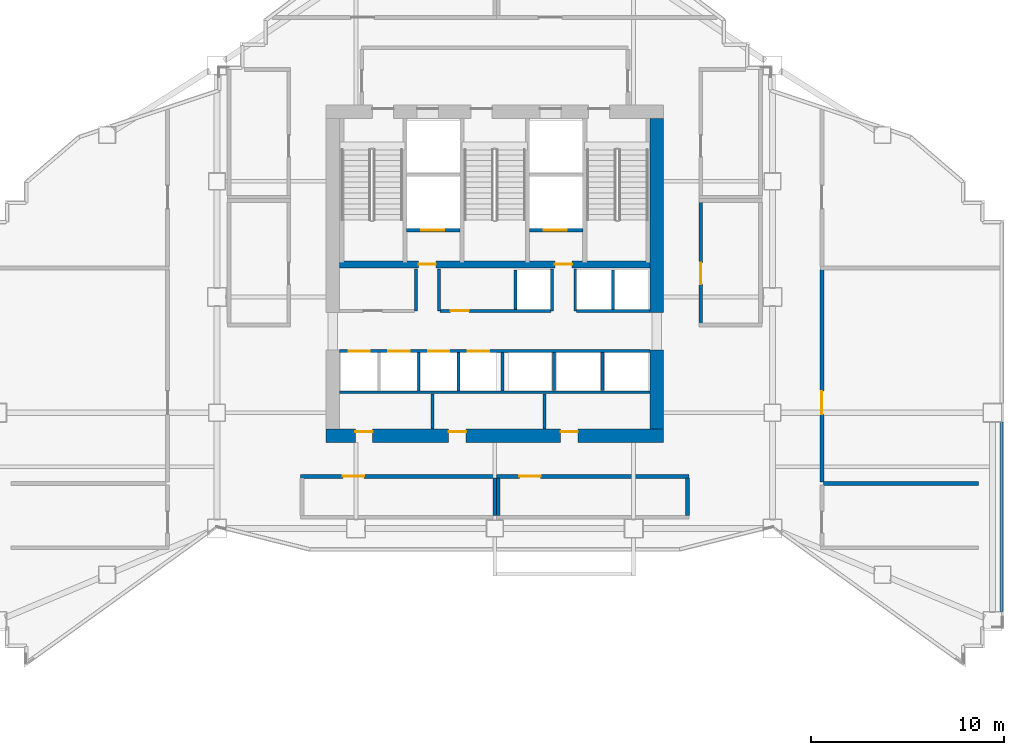
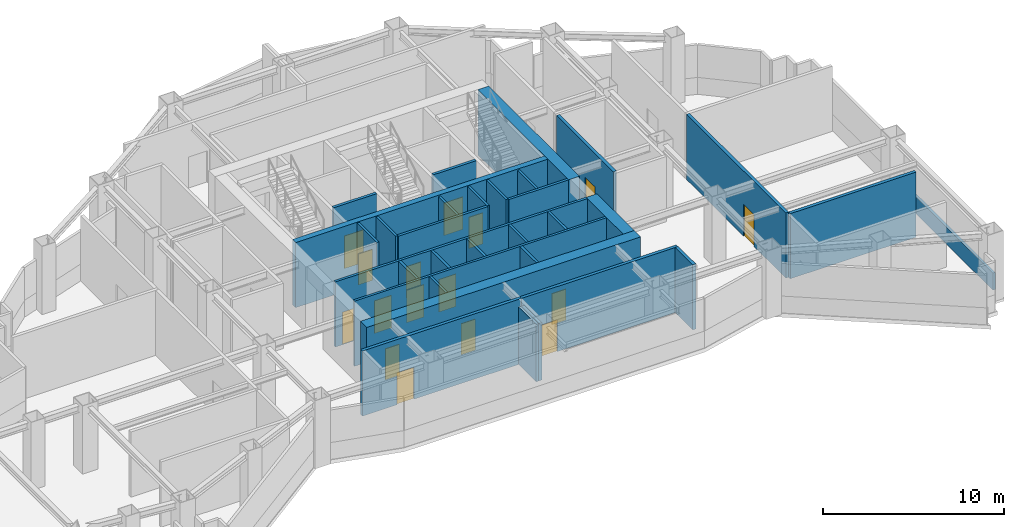
# One storey, part 3 of 12: 32 walls, 16 doors, 16 openings.
"""IFC4 building model written with IfcOpenShell, lengths in metres."""

from ifc_helpers import new_model, si_unit, direction, frame, frame_2d, origin, place, context, subcontext, project, spatial, rectangle, extrude, material, layer, layer_set, type_object, element, fill, save


model = new_model("IFC4")

# Units and contexts
model_context = context("Model", 3, precision=1e-05, world=origin(), true_north=direction((0.0, 1.0)))
body_context = subcontext(model_context, "Body", "Model", "MODEL_VIEW")
ifc_project = project(units=[si_unit("LENGTHUNIT", "METRE"), si_unit("AREAUNIT", "SQUARE_METRE"), si_unit("VOLUMEUNIT", "CUBIC_METRE"), si_unit("PLANEANGLEUNIT", "RADIAN"), si_unit("MASSUNIT", "GRAM", prefix="KILO")], contexts=[model_context])

# Site, building, storey
site_placement = place(None, origin())
site = spatial("IfcSite", under=ifc_project, at=site_placement, CompositionType="ELEMENT")
building_placement = place(site_placement, origin())
building = spatial("IfcBuilding", under=site, at=building_placement, Name="Haolan Belvedere Tower", CompositionType="ELEMENT")
storey_placement = place(building_placement, frame((0.0, 0.0, 136.39990234375)))
storey = spatial("IfcBuildingStorey", under=building, at=storey_placement, Name="L34", CompositionType="ELEMENT", Elevation=136.39990234375)

# Wall, openings, doors
ifc_material_1 = material(Name="Concrete C60/75", Category="concrete")
ifc_layer_1 = layer(ifc_material_1, 0.699951171875, Name="Concrete C60/75")
ifc_layer_set_1 = layer_set([ifc_layer_1], Name="Concrete C60/75")
wall_type_1 = type_object("IfcWallType", Name="WL-CORE-700", PredefinedType="SHEAR", material=ifc_layer_set_1)
wall_1_placement = place(storey_placement, frame((29.64990234375, 26.39990234375, 0.0), z_axis=(0.0, 0.0, 1.0), x_axis=(1.0, 0.0, 0.0)))
wall_1 = element("IfcWall", 1, at=wall_1_placement, inside=storey, type_object=wall_type_1, Name="L34 central core south shear wall", PredefinedType="SHEAR", context=body_context, shape_type="SweptSolid", body=[
    extrude(rectangle(XDim=17.5, YDim=0.699951171875, at=frame_2d((8.75, 0.0))), origin(), (0.0, 0.0, 1.0), 4.400146484375),
])
opening_1_placement = place(wall_1_placement, frame((2.419921875, 0.0, 0.0), z_axis=(0.0, 0.0, 1.0), x_axis=(-1.0, 0.0, 0.0)))
opening_1 = element("IfcOpeningElement", 2, at=opening_1_placement, cuts=wall_1, Name="Opening FD-05", PredefinedType="OPENING", context=body_context, shape_type="SweptSolid", body=[
    extrude(rectangle(XDim=0.89990234375, YDim=2.10009765625, at=frame_2d((0.449951171875, 1.050048828125))), frame((0.0, 0.35986328125, 0.0), z_axis=(0.0, -1.0, 0.0), x_axis=(1.0, 0.0, 0.0)), (0.0, 0.0, 1.0), 0.719970703125),
])
opening_2_placement = place(wall_1_placement, frame((7.260009765625, 0.0, 0.0), z_axis=(0.0, 0.0, 1.0), x_axis=(-1.0, 0.0, 0.0)))
opening_2 = element("IfcOpeningElement", 3, at=opening_2_placement, cuts=wall_1, Name="Opening FD-05", PredefinedType="OPENING", context=body_context, shape_type="SweptSolid", body=[
    extrude(rectangle(XDim=0.89990234375, YDim=2.10009765625, at=frame_2d((0.449951171875, 1.050048828125))), frame((0.0, 0.35986328125, 0.0), z_axis=(0.0, -1.0, 0.0), x_axis=(1.0, 0.0, 0.0)), (0.0, 0.0, 1.0), 0.719970703125),
])
opening_3_placement = place(wall_1_placement, frame((13.059814453125, 0.0, 0.0), z_axis=(0.0, 0.0, 1.0), x_axis=(-1.0, 0.0, 0.0)))
opening_3 = element("IfcOpeningElement", 4, at=opening_3_placement, cuts=wall_1, Name="Opening FD-05", PredefinedType="OPENING", context=body_context, shape_type="SweptSolid", body=[
    extrude(rectangle(XDim=0.89990234375, YDim=2.10009765625, at=frame_2d((0.449951171875, 1.050048828125))), frame((0.0, 0.35986328125, 0.0), z_axis=(0.0, -1.0, 0.0), x_axis=(1.0, 0.0, 0.0)), (0.0, 0.0, 1.0), 0.719970703125),
])
ifc_material_2 = material(Name="Galvanised fire-rated steel", Category="steel")
door_type_1 = type_object("IfcDoorType", Name="DR-FD60-900", OperationType="NOTDEFINED", PredefinedType="DOOR", material=ifc_material_2)
door_1_placement = place(opening_1_placement, origin())
door_1 = element("IfcDoor", 5, at=door_1_placement, inside=storey, type_object=door_type_1, Name="L34 door CD-L34-SCV-1", OperationType="SINGLE_SWING_LEFT", OverallHeight=2.10009765625, OverallWidth=0.89990234375, PredefinedType="DOOR", context=body_context, shape_type="SweptSolid", body=[
    extrude(rectangle(XDim=0.89990234375, YDim=2.10009765625, at=frame_2d((0.449951171875, 1.050048828125))), frame((0.0, -0.19482421875, 0.0), z_axis=(0.0, -1.0, 0.0), x_axis=(1.0, 0.0, 0.0)), (0.0, 0.0, 1.0), 0.050048828125),
])
fill(opening_1, door_1)
door_2_placement = place(opening_2_placement, origin())
door_2 = element("IfcDoor", 6, at=door_2_placement, inside=storey, type_object=door_type_1, Name="L34 door CD-L34-SCV-2", OperationType="SINGLE_SWING_RIGHT", OverallHeight=2.10009765625, OverallWidth=0.89990234375, PredefinedType="DOOR", context=body_context, shape_type="SweptSolid", body=[
    extrude(rectangle(XDim=0.89990234375, YDim=2.10009765625, at=frame_2d((0.449951171875, 1.050048828125))), frame((0.0, -0.19482421875, 0.0), z_axis=(0.0, -1.0, 0.0), x_axis=(1.0, 0.0, 0.0)), (0.0, 0.0, 1.0), 0.050048828125),
])
fill(opening_2, door_2)
door_3_placement = place(opening_3_placement, origin())
door_3 = element("IfcDoor", 7, at=door_3_placement, inside=storey, type_object=door_type_1, Name="L34 door CD-L34-SCV-3", OperationType="SINGLE_SWING_LEFT", OverallHeight=2.10009765625, OverallWidth=0.89990234375, PredefinedType="DOOR", context=body_context, shape_type="SweptSolid", body=[
    extrude(rectangle(XDim=0.89990234375, YDim=2.10009765625, at=frame_2d((0.449951171875, 1.050048828125))), frame((0.0, -0.19482421875, 0.0), z_axis=(0.0, -1.0, 0.0), x_axis=(1.0, 0.0, 0.0)), (0.0, 0.0, 1.0), 0.050048828125),
])
fill(opening_3, door_3)

# Walls
wall_2_placement = place(storey_placement, frame((46.800048828125, 26.75, 0.0), z_axis=(0.0, 0.0, 1.0), x_axis=(0.0, 1.0, 0.0)))
element("IfcWall", 8, at=wall_2_placement, inside=storey, type_object=wall_type_1, Name="L34 central core shear wall ES", PredefinedType="SHEAR", context=body_context, shape_type="SweptSolid", body=[
    extrude(rectangle(XDim=4.10009765625, YDim=0.699951171875, at=frame_2d((2.050048828125, 0.0))), origin(), (0.0, 0.0, 1.0), 4.400146484375),
])
wall_3_placement = place(storey_placement, frame((46.800048828125, 32.800048828125, 0.0), z_axis=(0.0, 0.0, 1.0), x_axis=(0.0, 1.0, 0.0)))
element("IfcWall", 9, at=wall_3_placement, inside=storey, type_object=wall_type_1, Name="L34 central core shear wall EN", PredefinedType="SHEAR", context=body_context, shape_type="SweptSolid", body=[
    extrude(rectangle(XDim=10.050048828125, YDim=0.699951171875, at=frame_2d((5.02490234375, 0.0))), origin(), (0.0, 0.0, 1.0), 4.400146484375),
])

# Wall, opening, door
ifc_material_3 = material(Name="Concrete C40/50", Category="concrete")
ifc_layer_2 = layer(ifc_material_3, 0.199951171875, Name="Concrete C40/50")
ifc_layer_set_2 = layer_set([ifc_layer_2], Name="Concrete C40/50")
wall_type_2 = type_object("IfcWallType", Name="WL-FIRE-200", PredefinedType="SOLIDWALL", material=ifc_layer_set_2)
wall_4_placement = place(storey_placement, frame((55.360107421875, 24.02001953125, 0.0), z_axis=(0.0, 0.0, 1.0), x_axis=(0.0, 1.0, 0.0)))
wall_4 = element("IfcWall", 10, at=wall_4_placement, inside=storey, type_object=wall_type_2, Name="L34 interior partition IW-L34-REF-E1-W", PredefinedType="SOLIDWALL", context=body_context, shape_type="SweptSolid", body=[
    extrude(rectangle(XDim=10.994873046875, YDim=0.199951171875, at=frame_2d((5.49755859375, 0.0))), origin(), (0.0, 0.0, 1.0), 4.400146484375),
])
opening_4_placement = place(wall_4_placement, frame((3.5, 0.0, 0.0)))
opening_4 = element("IfcOpeningElement", 11, at=opening_4_placement, cuts=wall_4, Name="Opening FD-02", PredefinedType="OPENING", context=body_context, shape_type="SweptSolid", body=[
    extrude(rectangle(XDim=1.199951171875, YDim=2.14990234375, at=frame_2d((0.60009765625, 1.074951171875))), frame((0.0, 0.10986328125, 0.0), z_axis=(0.0, -1.0, 0.0), x_axis=(1.0, 0.0, 0.0)), (0.0, 0.0, 1.0), 0.219970703125),
])
door_type_2 = type_object("IfcDoorType", Name="DR-FD90-1200", OperationType="NOTDEFINED", PredefinedType="DOOR", material=ifc_material_2)
door_4_placement = place(opening_4_placement, origin())
door_4 = element("IfcDoor", 12, at=door_4_placement, inside=storey, type_object=door_type_2, Name="L34 door ID-L34-REF-E1", OperationType="SINGLE_SWING_RIGHT", OverallHeight=2.14990234375, OverallWidth=1.199951171875, PredefinedType="DOOR", context=body_context, shape_type="SweptSolid", body=[
    extrude(rectangle(XDim=1.199951171875, YDim=2.14990234375, at=frame_2d((0.60009765625, 1.074951171875))), frame((0.0, 0.02490234375, 0.0), z_axis=(0.0, -1.0, 0.0), x_axis=(1.0, 0.0, 0.0)), (0.0, 0.0, 1.0), 0.050048828125),
])
fill(opening_4, door_4)

wall_5_placement = place(storey_placement, frame((49.080078125, 32.235107421875, 0.0), z_axis=(0.0, 0.0, 1.0), x_axis=(0.0, 1.0, 0.0)))
wall_5 = element("IfcWall", 13, at=wall_5_placement, inside=storey, type_object=wall_type_2, Name="L34 interior partition IW-L34-REF-EI1-W", PredefinedType="SOLIDWALL", context=body_context, shape_type="SweptSolid", body=[
    extrude(rectangle(XDim=6.27978515625, YDim=0.199951171875, at=frame_2d((3.139892578125, 0.0))), origin(), (0.0, 0.0, 1.0), 4.400146484375),
])
opening_5_placement = place(wall_5_placement, frame((2.034912109375, 0.0, 0.0)))
opening_5 = element("IfcOpeningElement", 14, at=opening_5_placement, cuts=wall_5, Name="Opening FD-03", PredefinedType="OPENING", context=body_context, shape_type="SweptSolid", body=[
    extrude(rectangle(XDim=1.10009765625, YDim=2.14990234375, at=frame_2d((0.550048828125, 1.074951171875))), frame((0.0, 0.10986328125, 0.0), z_axis=(0.0, -1.0, 0.0), x_axis=(1.0, 0.0, 0.0)), (0.0, 0.0, 1.0), 0.219970703125),
])
door_type_3 = type_object("IfcDoorType", Name="DR-FD90-1100", OperationType="NOTDEFINED", PredefinedType="DOOR", material=ifc_material_2)
door_5_placement = place(opening_5_placement, origin())
door_5 = element("IfcDoor", 15, at=door_5_placement, inside=storey, type_object=door_type_3, Name="L34 door ID-L34-REF-EI1", OperationType="SINGLE_SWING_RIGHT", OverallHeight=2.14990234375, OverallWidth=1.10009765625, PredefinedType="DOOR", context=body_context, shape_type="SweptSolid", body=[
    extrude(rectangle(XDim=1.10009765625, YDim=2.14990234375, at=frame_2d((0.550048828125, 1.074951171875))), frame((0.0, 0.02490234375, 0.0), z_axis=(0.0, -1.0, 0.0), x_axis=(1.0, 0.0, 0.0)), (0.0, 0.0, 1.0), 0.050048828125),
])
fill(opening_5, door_5)

wall_6_placement = place(storey_placement, frame((28.320068359375, 24.300048828125, 0.0), z_axis=(0.0, 0.0, 1.0), x_axis=(1.0, 0.0, 0.0)))
wall_6 = element("IfcWall", 16, at=wall_6_placement, inside=storey, type_object=wall_type_2, Name="L34 interior partition IW-L34-PLT-AHU-N", PredefinedType="SOLIDWALL", context=body_context, shape_type="SweptSolid", body=[
    extrude(rectangle(XDim=10.159912109375, YDim=0.199951171875, at=frame_2d((5.080078125, 0.0))), origin(), (0.0, 0.0, 1.0), 4.400146484375),
])
opening_6_placement = place(wall_6_placement, frame((3.300048828125, 0.0, 0.0), z_axis=(0.0, 0.0, 1.0), x_axis=(-1.0, 0.0, 0.0)))
opening_6 = element("IfcOpeningElement", 17, at=opening_6_placement, cuts=wall_6, Name="Opening FD-03", PredefinedType="OPENING", context=body_context, shape_type="SweptSolid", body=[
    extrude(rectangle(XDim=1.10009765625, YDim=2.14990234375, at=frame_2d((0.550048828125, 1.074951171875))), frame((0.0, 0.10986328125, 0.0), z_axis=(0.0, -1.0, 0.0), x_axis=(1.0, 0.0, 0.0)), (0.0, 0.0, 1.0), 0.219970703125),
])
door_6_placement = place(opening_6_placement, origin())
door_6 = element("IfcDoor", 18, at=door_6_placement, inside=storey, type_object=door_type_3, Name="L34 door ID-L34-PLT-AHU", OperationType="SINGLE_SWING_LEFT", OverallHeight=2.14990234375, OverallWidth=1.10009765625, PredefinedType="DOOR", context=body_context, shape_type="SweptSolid", body=[
    extrude(rectangle(XDim=1.10009765625, YDim=2.14990234375, at=frame_2d((0.550048828125, 1.074951171875))), frame((0.0, 0.02490234375, 0.0), z_axis=(0.0, -1.0, 0.0), x_axis=(1.0, 0.0, 0.0)), (0.0, 0.0, 1.0), 0.050048828125),
])
fill(opening_6, door_6)

# Wall
wall_7_placement = place(storey_placement, frame((38.39990234375, 22.264892578125, 0.0), z_axis=(0.0, 0.0, 1.0), x_axis=(0.0, 1.0, 0.0)))
element("IfcWall", 19, at=wall_7_placement, inside=storey, type_object=wall_type_2, Name="L34 interior partition IW-L34-PLT-AHU-E", PredefinedType="SOLIDWALL", context=body_context, shape_type="SweptSolid", body=[
    extrude(rectangle(XDim=1.9501953125, YDim=0.199951171875, at=frame_2d((0.97509765625, 0.0))), origin(), (0.0, 0.0, 1.0), 3.885009765625),
])

# Wall, opening, door
wall_8_placement = place(storey_placement, frame((38.485107421875, 24.300048828125, 0.0), z_axis=(0.0, 0.0, 1.0), x_axis=(1.0, 0.0, 0.0)))
wall_8 = element("IfcWall", 20, at=wall_8_placement, inside=storey, type_object=wall_type_2, Name="L34 interior partition IW-L34-PLT-CHW-N", PredefinedType="SOLIDWALL", context=body_context, shape_type="SweptSolid", body=[
    extrude(rectangle(XDim=9.994873046875, YDim=0.199951171875, at=frame_2d((4.99755859375, 0.0))), origin(), (0.0, 0.0, 1.0), 4.400146484375),
])
opening_7_placement = place(wall_8_placement, frame((2.295166015625, 0.0, 0.0), z_axis=(0.0, 0.0, 1.0), x_axis=(-1.0, 0.0, 0.0)))
opening_7 = element("IfcOpeningElement", 21, at=opening_7_placement, cuts=wall_8, Name="Opening FD-03", PredefinedType="OPENING", context=body_context, shape_type="SweptSolid", body=[
    extrude(rectangle(XDim=1.10009765625, YDim=2.14990234375, at=frame_2d((0.550048828125, 1.074951171875))), frame((0.0, 0.10986328125, 0.0), z_axis=(0.0, -1.0, 0.0), x_axis=(1.0, 0.0, 0.0)), (0.0, 0.0, 1.0), 0.219970703125),
])
door_7_placement = place(opening_7_placement, origin())
door_7 = element("IfcDoor", 22, at=door_7_placement, inside=storey, type_object=door_type_3, Name="L34 door ID-L34-PLT-CHW", OperationType="SINGLE_SWING_RIGHT", OverallHeight=2.14990234375, OverallWidth=1.10009765625, PredefinedType="DOOR", context=body_context, shape_type="SweptSolid", body=[
    extrude(rectangle(XDim=1.10009765625, YDim=2.14990234375, at=frame_2d((0.550048828125, 1.074951171875))), frame((0.0, 0.02490234375, 0.0), z_axis=(0.0, -1.0, 0.0), x_axis=(1.0, 0.0, 0.0)), (0.0, 0.0, 1.0), 0.050048828125),
])
fill(opening_7, door_7)

# Walls
wall_9_placement = place(storey_placement, frame((38.56005859375, 22.264892578125, 0.0), z_axis=(0.0, 0.0, 1.0), x_axis=(0.0, 1.0, 0.0)))
element("IfcWall", 23, at=wall_9_placement, inside=storey, type_object=wall_type_2, Name="L34 interior partition IW-L34-PLT-CHW-W", PredefinedType="SOLIDWALL", context=body_context, shape_type="SweptSolid", body=[
    extrude(rectangle(XDim=1.9501953125, YDim=0.199951171875, at=frame_2d((0.97509765625, 0.0))), origin(), (0.0, 0.0, 1.0), 3.885009765625),
])
wall_10_placement = place(storey_placement, frame((48.39990234375, 22.264892578125, 0.0), z_axis=(0.0, 0.0, 1.0), x_axis=(0.0, 1.0, 0.0)))
element("IfcWall", 24, at=wall_10_placement, inside=storey, type_object=wall_type_2, Name="L34 interior partition IW-L34-PLT-CHW-E", PredefinedType="SOLIDWALL", context=body_context, shape_type="SweptSolid", body=[
    extrude(rectangle(XDim=1.9501953125, YDim=0.199951171875, at=frame_2d((0.97509765625, 0.0))), origin(), (0.0, 0.0, 1.0), 4.400146484375),
])
wall_11_placement = place(storey_placement, frame((55.445068359375, 23.93994140625, 0.0), z_axis=(0.0, 0.0, 1.0), x_axis=(1.0, 0.0, 0.0)))
element("IfcWall", 25, at=wall_11_placement, inside=storey, type_object=wall_type_2, Name="L34 interior partition IW-L34-PLT-TNK-N", PredefinedType="SOLIDWALL", context=body_context, shape_type="SweptSolid", body=[
    extrude(rectangle(XDim=8.034912109375, YDim=0.199951171875, at=frame_2d((4.017578125, 0.0))), origin(), (0.0, 0.0, 1.0), 4.400146484375),
])
ifc_material_4 = material(Name="Precast concrete C40/50", Category="concrete")
ifc_layer_3 = layer(ifc_material_4, 0.159912109375, Name="Precast concrete C40/50")
ifc_layer_set_3 = layer_set([ifc_layer_3], Name="Precast concrete C40/50")
wall_type_3 = type_object("IfcWallType", Name="WL-PAR-160", PredefinedType="PARAPET", material=ifc_layer_set_3)
wall_12_placement = place(storey_placement, frame((64.679931640625, 17.2919921875, 0.0), z_axis=(0.0, 0.0, 1.0), x_axis=(0.0, 1.0, 0.0)))
element("IfcWall", 26, at=wall_12_placement, inside=storey, type_object=wall_type_3, Name="L34 refuge open-band parapet 14.1", PredefinedType="PARAPET", context=body_context, shape_type="SweptSolid", body=[
    extrude(rectangle(XDim=9.81591796875, YDim=0.159912109375, at=frame_2d((4.907958984375, 0.0))), origin(), (0.0, 0.0, 1.0), 1.150146484375),
])
ifc_material_5 = material(Name="Double gypsum acoustic stud partition", Category="masonry")
ifc_layer_4 = layer(ifc_material_5, 0.14990234375, Name="Double gypsum acoustic stud partition")
ifc_layer_set_4 = layer_set([ifc_layer_4], Name="Double gypsum acoustic stud partition")
wall_type_4 = type_object("IfcWallType", Name="WL-PART-150", PredefinedType="PARTITIONING", material=ifc_layer_set_4)
wall_13_placement = place(storey_placement, frame((30.35009765625, 28.659912109375, 0.0), z_axis=(0.0, 0.0, 1.0), x_axis=(1.0, 0.0, 0.0)))
element("IfcWall", 27, at=wall_13_placement, inside=storey, type_object=wall_type_4, Name="L34 interior partition IW-L34-SSTRIP-N", PredefinedType="PARTITIONING", context=body_context, shape_type="SweptSolid", body=[
    extrude(rectangle(XDim=16.099853515625, YDim=0.14990234375, at=frame_2d((8.0498046875, 0.0))), origin(), (0.0, 0.0, 1.0), 4.400146484375),
])
for number, where, z_axis, x_axis, name in (
    (28, (35.179931640625, 26.760009765625, 0.0), (0.0, 0.0, 1.0), (0.0, 1.0, 0.0), "L34 interior partition IW-L34-SCV-DIV-1"),
    (29, (40.97998046875, 26.760009765625, 0.0), (0.0, 0.0, 1.0), (0.0, 1.0, 0.0), "L34 interior partition IW-L34-SCV-DIV-2"),
):
    element("IfcWall", number, at=place(storey_placement, frame(where, z_axis=z_axis, x_axis=x_axis)), inside=storey, type_object=wall_type_4, Name=name, PredefinedType="PARTITIONING", context=body_context, shape_type="SweptSolid", body=[
        extrude(rectangle(XDim=1.820068359375, YDim=0.14990234375, at=frame_2d((0.91015625, 0.0))), origin(), (0.0, 0.0, 1.0), 4.400146484375),
    ])
ifc_material_6 = material(Name="Gypsum fire shaftwall assembly", Category="masonry")
ifc_layer_5 = layer(ifc_material_6, 0.1650390625, Name="Gypsum fire shaftwall assembly")
ifc_layer_set_5 = layer_set([ifc_layer_5], Name="Gypsum fire shaftwall assembly")
wall_type_5 = type_object("IfcWallType", Name="WL-SHAFT-160", PredefinedType="SOLIDWALL", material=ifc_layer_set_5)
for number, where, z_axis, x_axis, name in (
    (30, (34.31005859375, 32.8798828125, 0.0), (0.0, 0.0, 1.0), (0.0, 1.0, 0.0), "L34 interior partition IW-L34-SVP-W-SV1"),
    (31, (35.510009765625, 32.8798828125, 0.0), (0.0, 0.0, 1.0), (0.0, 1.0, 0.0), "L34 interior partition IW-L34-SVP-E-SV1"),
    (32, (41.3701171875, 32.8798828125, 0.0), (0.0, 0.0, 1.0), (0.0, 1.0, 0.0), "L34 interior partition IW-L34-SVP-W-SV2"),
    (33, (42.570068359375, 32.8798828125, 0.0), (0.0, 0.0, 1.0), (0.0, 1.0, 0.0), "L34 interior partition IW-L34-SVP-E-SV2"),
):
    element("IfcWall", number, at=place(storey_placement, frame(where, z_axis=z_axis, x_axis=x_axis)), inside=storey, type_object=wall_type_5, Name=name, PredefinedType="SOLIDWALL", context=body_context, shape_type="SweptSolid", body=[
        extrude(rectangle(XDim=2.170166015625, YDim=0.14990234375, at=frame_2d((1.0849609375, 0.0))), origin(), (0.0, 0.0, 1.0), 4.400146484375),
    ])

# Wall, opening, door
wall_14_placement = place(storey_placement, frame((35.570068359375, 32.8798828125, 0.0), z_axis=(0.0, 0.0, 1.0), x_axis=(1.0, 0.0, 0.0)))
wall_14 = element("IfcWall", 34, at=wall_14_placement, inside=storey, type_object=wall_type_5, Name="L34 interior partition IW-L34-ROW-PN2", PredefinedType="SOLIDWALL", context=body_context, shape_type="SweptSolid", body=[
    extrude(rectangle(XDim=5.739990234375, YDim=0.159912109375, at=frame_2d((2.8701171875, 0.0))), origin(), (0.0, 0.0, 1.0), 4.400146484375),
])
opening_8_placement = place(wall_14_placement, frame((1.489990234375, 0.0, 0.0), z_axis=(0.0, 0.0, 1.0), x_axis=(-1.0, 0.0, 0.0)))
opening_8 = element("IfcOpeningElement", 35, at=opening_8_placement, cuts=wall_14, Name="Opening ID-03", PredefinedType="OPENING", context=body_context, shape_type="SweptSolid", body=[
    extrude(rectangle(XDim=0.949951171875, YDim=2.1201171875, at=frame_2d((0.47509765625, 1.06005859375))), frame((0.0, 0.08984375, 0.0), z_axis=(0.0, -1.0, 0.0), x_axis=(1.0, 0.0, 0.0)), (0.0, 0.0, 1.0), 0.179931640625),
])
ifc_material_7 = material(Name="Painted solid-core timber", Category="wood")
door_type_4 = type_object("IfcDoorType", Name="DR-INT-950", OperationType="NOTDEFINED", PredefinedType="DOOR", material=ifc_material_7)
door_8_placement = place(opening_8_placement, origin())
door_8 = element("IfcDoor", 36, at=door_8_placement, inside=storey, type_object=door_type_4, Name="L34 door ID-L34-CD-RPLE", OperationType="SINGLE_SWING_RIGHT", OverallHeight=2.1201171875, OverallWidth=0.949951171875, PredefinedType="DOOR", context=body_context, shape_type="SweptSolid", body=[
    extrude(rectangle(XDim=0.949951171875, YDim=2.1201171875, at=frame_2d((0.47509765625, 1.06005859375))), frame((0.0, 0.02490234375, 0.0), z_axis=(0.0, -1.0, 0.0), x_axis=(1.0, 0.0, 0.0)), (0.0, 0.0, 1.0), 0.050048828125),
])
fill(opening_8, door_8)

# Walls
wall_15_placement = place(storey_placement, frame((42.6298828125, 32.8798828125, 0.0), z_axis=(0.0, 0.0, 1.0), x_axis=(1.0, 0.0, 0.0)))
element("IfcWall", 37, at=wall_15_placement, inside=storey, type_object=wall_type_5, Name="L34 interior partition IW-L34-ROW-PN3", PredefinedType="SOLIDWALL", context=body_context, shape_type="SweptSolid", body=[
    extrude(rectangle(XDim=3.820068359375, YDim=0.159912109375, at=frame_2d((1.91015625, 0.0))), origin(), (0.0, 0.0, 1.0), 4.400146484375),
])
for number, where, z_axis, x_axis, name in (
    (38, (39.469970703125, 32.949951171875, 0.0), (0.0, 0.0, 1.0), (0.0, 1.0, 0.0), "L34 interior partition IW-L34-DIV-PL4R"),
    (39, (44.530029296875, 32.949951171875, 0.0), (0.0, 0.0, 1.0), (0.0, 1.0, 0.0), "L34 interior partition IW-L34-DIV-PH2"),
):
    element("IfcWall", number, at=place(storey_placement, frame(where, z_axis=z_axis, x_axis=x_axis)), inside=storey, type_object=wall_type_5, Name=name, PredefinedType="SOLIDWALL", context=body_context, shape_type="SweptSolid", body=[
        extrude(rectangle(XDim=2.050048828125, YDim=0.14990234375, at=frame_2d((1.02490234375, 0.0))), origin(), (0.0, 0.0, 1.0), 4.400146484375),
    ])

# Wall, openings, doors
wall_16_placement = place(storey_placement, frame((30.35009765625, 30.800048828125, 0.0), z_axis=(0.0, 0.0, 1.0), x_axis=(1.0, 0.0, 0.0)))
wall_16 = element("IfcWall", 40, at=wall_16_placement, inside=storey, type_object=wall_type_5, Name="L34 interior partition IW-L34-ROW-PS", PredefinedType="SOLIDWALL", context=body_context, shape_type="SweptSolid", body=[
    extrude(rectangle(XDim=16.099853515625, YDim=0.159912109375, at=frame_2d((8.0498046875, 0.0))), origin(), (0.0, 0.0, 1.0), 4.400146484375),
])
opening_9_placement = place(wall_16_placement, frame((0.469970703125, 0.0, 0.0)))
opening_9 = element("IfcOpeningElement", 41, at=opening_9_placement, cuts=wall_16, Name="Opening LD-01", PredefinedType="OPENING", context=body_context, shape_type="SweptSolid", body=[
    extrude(rectangle(XDim=1.10009765625, YDim=2.199951171875, at=frame_2d((0.550048828125, 1.10009765625))), frame((0.0, 0.08984375, 0.0), z_axis=(0.0, -1.0, 0.0), x_axis=(1.0, 0.0, 0.0)), (0.0, 0.0, 1.0), 0.179931640625),
])
opening_10_placement = place(wall_16_placement, frame((2.530029296875, 0.0, 0.0)))
opening_10 = element("IfcOpeningElement", 42, at=opening_10_placement, cuts=wall_16, Name="Opening LD-01", PredefinedType="OPENING", context=body_context, shape_type="SweptSolid", body=[
    extrude(rectangle(XDim=1.10009765625, YDim=2.199951171875, at=frame_2d((0.550048828125, 1.10009765625))), frame((0.0, 0.08984375, 0.0), z_axis=(0.0, -1.0, 0.0), x_axis=(1.0, 0.0, 0.0)), (0.0, 0.0, 1.0), 0.179931640625),
])
opening_11_placement = place(wall_16_placement, frame((4.590087890625, 0.0, 0.0)))
opening_11 = element("IfcOpeningElement", 43, at=opening_11_placement, cuts=wall_16, Name="Opening LD-01", PredefinedType="OPENING", context=body_context, shape_type="SweptSolid", body=[
    extrude(rectangle(XDim=1.10009765625, YDim=2.199951171875, at=frame_2d((0.550048828125, 1.10009765625))), frame((0.0, 0.08984375, 0.0), z_axis=(0.0, -1.0, 0.0), x_axis=(1.0, 0.0, 0.0)), (0.0, 0.0, 1.0), 0.179931640625),
])
opening_12_placement = place(wall_16_placement, frame((6.64990234375, 0.0, 0.0)))
opening_12 = element("IfcOpeningElement", 44, at=opening_12_placement, cuts=wall_16, Name="Opening LD-01", PredefinedType="OPENING", context=body_context, shape_type="SweptSolid", body=[
    extrude(rectangle(XDim=1.10009765625, YDim=2.199951171875, at=frame_2d((0.550048828125, 1.10009765625))), frame((0.0, 0.08984375, 0.0), z_axis=(0.0, -1.0, 0.0), x_axis=(1.0, 0.0, 0.0)), (0.0, 0.0, 1.0), 0.179931640625),
])
ifc_material_8 = material(Name="Brushed champagne stainless steel 316L", Category="steel")
door_type_5 = type_object("IfcDoorType", Name="DR-LIFT-1100", OperationType="SLIDING_TO_LEFT", PredefinedType="DOOR", material=ifc_material_8)
door_9_placement = place(opening_9_placement, origin())
door_9 = element("IfcDoor", 45, at=door_9_placement, inside=storey, type_object=door_type_5, Name="L34 door ID-L34-LD-PM1", OperationType="SLIDING_TO_LEFT", OverallHeight=2.199951171875, OverallWidth=1.10009765625, PredefinedType="DOOR", context=body_context, shape_type="SweptSolid", body=[
    extrude(rectangle(XDim=1.10009765625, YDim=2.199951171875, at=frame_2d((0.550048828125, 1.10009765625))), frame((0.0, 0.02490234375, 0.0), z_axis=(0.0, -1.0, 0.0), x_axis=(1.0, 0.0, 0.0)), (0.0, 0.0, 1.0), 0.050048828125),
])
fill(opening_9, door_9)
door_10_placement = place(opening_10_placement, origin())
door_10 = element("IfcDoor", 46, at=door_10_placement, inside=storey, type_object=door_type_5, Name="L34 door ID-L34-LD-PM2", OperationType="SLIDING_TO_LEFT", OverallHeight=2.199951171875, OverallWidth=1.10009765625, PredefinedType="DOOR", context=body_context, shape_type="SweptSolid", body=[
    extrude(rectangle(XDim=1.10009765625, YDim=2.199951171875, at=frame_2d((0.550048828125, 1.10009765625))), frame((0.0, 0.02490234375, 0.0), z_axis=(0.0, -1.0, 0.0), x_axis=(1.0, 0.0, 0.0)), (0.0, 0.0, 1.0), 0.050048828125),
])
fill(opening_10, door_10)
door_11_placement = place(opening_11_placement, origin())
door_11 = element("IfcDoor", 47, at=door_11_placement, inside=storey, type_object=door_type_5, Name="L34 door ID-L34-LD-PM3", OperationType="SLIDING_TO_LEFT", OverallHeight=2.199951171875, OverallWidth=1.10009765625, PredefinedType="DOOR", context=body_context, shape_type="SweptSolid", body=[
    extrude(rectangle(XDim=1.10009765625, YDim=2.199951171875, at=frame_2d((0.550048828125, 1.10009765625))), frame((0.0, 0.02490234375, 0.0), z_axis=(0.0, -1.0, 0.0), x_axis=(1.0, 0.0, 0.0)), (0.0, 0.0, 1.0), 0.050048828125),
])
fill(opening_11, door_11)
door_12_placement = place(opening_12_placement, origin())
door_12 = element("IfcDoor", 48, at=door_12_placement, inside=storey, type_object=door_type_5, Name="L34 door ID-L34-LD-PM4", OperationType="SLIDING_TO_LEFT", OverallHeight=2.199951171875, OverallWidth=1.10009765625, PredefinedType="DOOR", context=body_context, shape_type="SweptSolid", body=[
    extrude(rectangle(XDim=1.10009765625, YDim=2.199951171875, at=frame_2d((0.550048828125, 1.10009765625))), frame((0.0, 0.02490234375, 0.0), z_axis=(0.0, -1.0, 0.0), x_axis=(1.0, 0.0, 0.0)), (0.0, 0.0, 1.0), 0.050048828125),
])
fill(opening_12, door_12)

# Walls
for number, where, z_axis, x_axis, name in (
    (49, (34.4599609375, 28.735107421875, 0.0), (0.0, 0.0, 1.0), (0.0, 1.0, 0.0), "L34 interior partition IW-L34-DIV-PM2"),
    (50, (36.52001953125, 28.735107421875, 0.0), (0.0, 0.0, 1.0), (0.0, 1.0, 0.0), "L34 interior partition IW-L34-DIV-PM3"),
    (51, (38.800048828125, 28.735107421875, 0.0), (0.0, 0.0, 1.0), (0.0, 1.0, 0.0), "L34 interior partition IW-L34-DIV-PM4"),
):
    element("IfcWall", number, at=place(storey_placement, frame(where, z_axis=z_axis, x_axis=x_axis)), inside=storey, type_object=wall_type_5, Name=name, PredefinedType="SOLIDWALL", context=body_context, shape_type="SweptSolid", body=[
        extrude(rectangle(XDim=1.98486328125, YDim=0.14990234375, at=frame_2d((0.992431640625, 0.0))), origin(), (0.0, 0.0, 1.0), 4.400146484375),
    ])
for number, where, z_axis, x_axis, name in (
    (52, (41.469970703125, 28.75, 0.0), (0.0, 0.0, 1.0), (0.0, 1.0, 0.0), "L34 interior partition IW-L34-DIV-OB1"),
    (53, (43.97998046875, 28.75, 0.0), (0.0, 0.0, 1.0), (0.0, 1.0, 0.0), "L34 interior partition IW-L34-DIV-OB2"),
):
    element("IfcWall", number, at=place(storey_placement, frame(where, z_axis=z_axis, x_axis=x_axis)), inside=storey, type_object=wall_type_5, Name=name, PredefinedType="SOLIDWALL", context=body_context, shape_type="SweptSolid", body=[
        extrude(rectangle(XDim=1.985107421875, YDim=0.14990234375, at=frame_2d((0.99267578125, 0.0))), origin(), (0.0, 0.0, 1.0), 4.400146484375),
    ])

# Wall, opening, door
ifc_layer_6 = layer(ifc_material_4, 0.179931640625, Name="Precast concrete C40/50")
ifc_layer_set_6 = layer_set([ifc_layer_6], Name="Precast concrete C40/50")
wall_type_6 = type_object("IfcWallType", Name="WL-SHAFT-180", PredefinedType="SOLIDWALL", material=ifc_layer_set_6)
wall_17_placement = place(storey_placement, frame((33.8349609375, 37.050048828125, 0.0), z_axis=(0.0, 0.0, 1.0), x_axis=(1.0, 0.0, 0.0)))
wall_17 = element("IfcWall", 54, at=wall_17_placement, inside=storey, type_object=wall_type_6, Name="L34 interior partition IW-L34-SV1-S", PredefinedType="SOLIDWALL", context=body_context, shape_type="SweptSolid", body=[
    extrude(rectangle(XDim=2.77001953125, YDim=0.179931640625, at=frame_2d((1.385009765625, 0.0))), origin(), (0.0, 0.0, 1.0), 4.400146484375),
])
opening_13_placement = place(wall_17_placement, frame((1.945068359375, 0.0, 0.0), z_axis=(0.0, 0.0, 1.0), x_axis=(-1.0, 0.0, 0.0)))
opening_13 = element("IfcOpeningElement", 55, at=opening_13_placement, cuts=wall_17, Name="Opening LD-02", PredefinedType="OPENING", context=body_context, shape_type="SweptSolid", body=[
    extrude(rectangle(XDim=1.199951171875, YDim=2.199951171875, at=frame_2d((0.60009765625, 1.10009765625))), frame((0.0, 0.099853515625, 0.0), z_axis=(0.0, -1.0, 0.0), x_axis=(1.0, 0.0, 0.0)), (0.0, 0.0, 1.0), 0.199951171875),
])
door_type_6 = type_object("IfcDoorType", Name="DR-LIFT-1200", OperationType="SLIDING_TO_RIGHT", PredefinedType="DOOR", material=ifc_material_8)
door_13_placement = place(opening_13_placement, origin())
door_13 = element("IfcDoor", 56, at=door_13_placement, inside=storey, type_object=door_type_6, Name="L34 door ID-L34-LD-SV1", OperationType="SLIDING_TO_RIGHT", OverallHeight=2.199951171875, OverallWidth=1.199951171875, PredefinedType="DOOR", context=body_context, shape_type="SweptSolid", body=[
    extrude(rectangle(XDim=1.199951171875, YDim=2.199951171875, at=frame_2d((0.60009765625, 1.10009765625))), frame((0.0, 0.02490234375, 0.0), z_axis=(0.0, -1.0, 0.0), x_axis=(1.0, 0.0, 0.0)), (0.0, 0.0, 1.0), 0.050048828125),
])
fill(opening_13, door_13)

wall_18_placement = place(storey_placement, frame((40.195068359375, 37.050048828125, 0.0), z_axis=(0.0, 0.0, 1.0), x_axis=(1.0, 0.0, 0.0)))
wall_18 = element("IfcWall", 57, at=wall_18_placement, inside=storey, type_object=wall_type_6, Name="L34 interior partition IW-L34-SV2-S", PredefinedType="SOLIDWALL", context=body_context, shape_type="SweptSolid", body=[
    extrude(rectangle(XDim=2.77001953125, YDim=0.179931640625, at=frame_2d((1.385009765625, 0.0))), origin(), (0.0, 0.0, 1.0), 4.400146484375),
])
opening_14_placement = place(wall_18_placement, frame((1.945068359375, 0.0, 0.0), z_axis=(0.0, 0.0, 1.0), x_axis=(-1.0, 0.0, 0.0)))
opening_14 = element("IfcOpeningElement", 58, at=opening_14_placement, cuts=wall_18, Name="Opening LD-02", PredefinedType="OPENING", context=body_context, shape_type="SweptSolid", body=[
    extrude(rectangle(XDim=1.199951171875, YDim=2.199951171875, at=frame_2d((0.60009765625, 1.10009765625))), frame((0.0, 0.099853515625, 0.0), z_axis=(0.0, -1.0, 0.0), x_axis=(1.0, 0.0, 0.0)), (0.0, 0.0, 1.0), 0.199951171875),
])
door_14_placement = place(opening_14_placement, origin())
door_14 = element("IfcDoor", 59, at=door_14_placement, inside=storey, type_object=door_type_6, Name="L34 door ID-L34-LD-SV2", OperationType="SLIDING_TO_RIGHT", OverallHeight=2.199951171875, OverallWidth=1.199951171875, PredefinedType="DOOR", context=body_context, shape_type="SweptSolid", body=[
    extrude(rectangle(XDim=1.199951171875, YDim=2.199951171875, at=frame_2d((0.60009765625, 1.10009765625))), frame((0.0, 0.02490234375, 0.0), z_axis=(0.0, -1.0, 0.0), x_axis=(1.0, 0.0, 0.0)), (0.0, 0.0, 1.0), 0.050048828125),
])
fill(opening_14, door_14)

# Wall, openings, doors
ifc_layer_7 = layer(ifc_material_1, 0.360107421875, Name="Concrete C60/75")
ifc_layer_set_7 = layer_set([ifc_layer_7], Name="Concrete C60/75")
wall_type_7 = type_object("IfcWallType", Name="WL-WEB-350", PredefinedType="SHEAR", material=ifc_layer_set_7)
wall_19_placement = place(storey_placement, frame((30.35009765625, 35.2900390625, 0.0), z_axis=(0.0, 0.0, 1.0), x_axis=(1.0, 0.0, 0.0)))
wall_19 = element("IfcWall", 60, at=wall_19_placement, inside=storey, type_object=wall_type_7, Name="L34 central core internal shear web", PredefinedType="SHEAR", context=body_context, shape_type="SweptSolid", body=[
    extrude(rectangle(XDim=16.099853515625, YDim=0.360107421875, at=frame_2d((8.0498046875, 0.0))), origin(), (0.0, 0.0, 1.0), 4.400146484375),
])
opening_15_placement = place(wall_19_placement, frame((5.0, 0.0, 0.0), z_axis=(0.0, 0.0, 1.0), x_axis=(-1.0, 0.0, 0.0)))
opening_15 = element("IfcOpeningElement", 61, at=opening_15_placement, cuts=wall_19, Name="Opening FD-05", PredefinedType="OPENING", context=body_context, shape_type="SweptSolid", body=[
    extrude(rectangle(XDim=0.89990234375, YDim=2.10009765625, at=frame_2d((0.449951171875, 1.050048828125))), frame((0.0, 0.18994140625, 0.0), z_axis=(0.0, -1.0, 0.0), x_axis=(1.0, 0.0, 0.0)), (0.0, 0.0, 1.0), 0.380126953125),
])
opening_16_placement = place(wall_19_placement, frame((12.059814453125, 0.0, 0.0), z_axis=(0.0, 0.0, 1.0), x_axis=(-1.0, 0.0, 0.0)))
opening_16 = element("IfcOpeningElement", 62, at=opening_16_placement, cuts=wall_19, Name="Opening FD-05", PredefinedType="OPENING", context=body_context, shape_type="SweptSolid", body=[
    extrude(rectangle(XDim=0.89990234375, YDim=2.10009765625, at=frame_2d((0.449951171875, 1.050048828125))), frame((0.0, 0.18994140625, 0.0), z_axis=(0.0, -1.0, 0.0), x_axis=(1.0, 0.0, 0.0)), (0.0, 0.0, 1.0), 0.380126953125),
])
door_15_placement = place(opening_15_placement, origin())
door_15 = element("IfcDoor", 63, at=door_15_placement, inside=storey, type_object=door_type_1, Name="L34 door CD-L34-SVL-SV1", OperationType="SINGLE_SWING_RIGHT", OverallHeight=2.10009765625, OverallWidth=0.89990234375, PredefinedType="DOOR", context=body_context, shape_type="SweptSolid", body=[
    extrude(rectangle(XDim=0.89990234375, YDim=2.10009765625, at=frame_2d((0.449951171875, 1.050048828125))), frame((0.0, 0.02490234375, 0.0), z_axis=(0.0, -1.0, 0.0), x_axis=(1.0, 0.0, 0.0)), (0.0, 0.0, 1.0), 0.050048828125),
])
fill(opening_15, door_15)
door_16_placement = place(opening_16_placement, origin())
door_16 = element("IfcDoor", 64, at=door_16_placement, inside=storey, type_object=door_type_1, Name="L34 door CD-L34-SVL-SV2", OperationType="SINGLE_SWING_RIGHT", OverallHeight=2.10009765625, OverallWidth=0.89990234375, PredefinedType="DOOR", context=body_context, shape_type="SweptSolid", body=[
    extrude(rectangle(XDim=0.89990234375, YDim=2.10009765625, at=frame_2d((0.449951171875, 1.050048828125))), frame((0.0, 0.02490234375, 0.0), z_axis=(0.0, -1.0, 0.0), x_axis=(1.0, 0.0, 0.0)), (0.0, 0.0, 1.0), 0.050048828125),
])
fill(opening_16, door_16)

save(model, "model.ifc")
